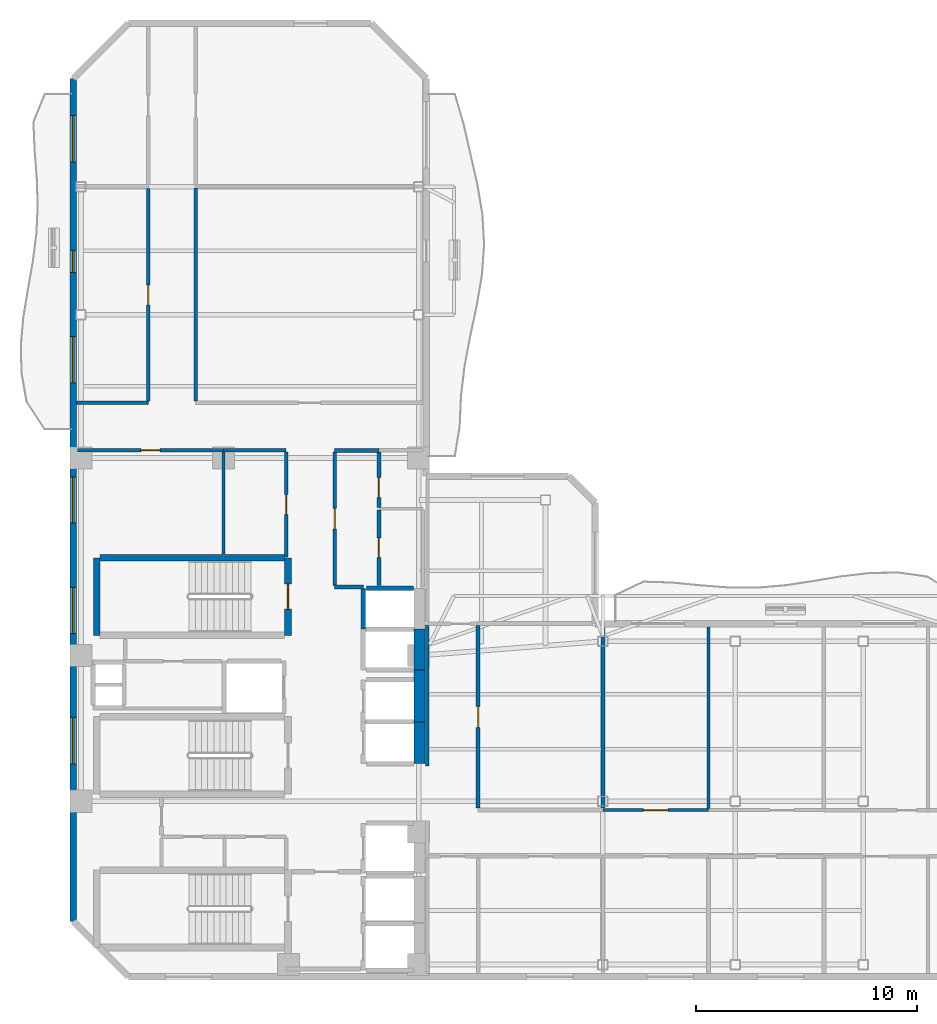
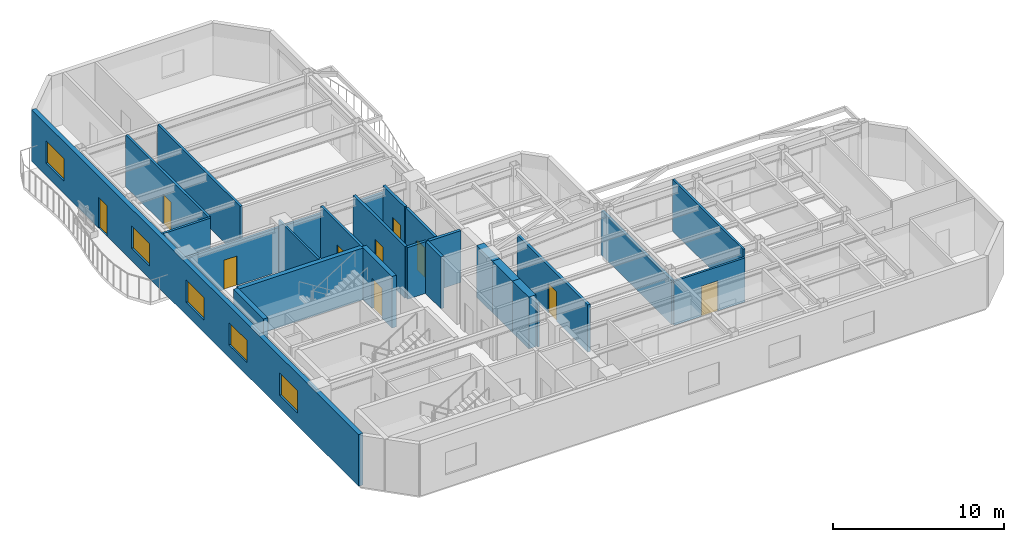
# One storey, part 4 of 9: 26 walls, 10 doors, 5 windows, 15 openings.
"""IFC4 building model written with IfcOpenShell, lengths in metres."""

from ifc_helpers import new_model, si_unit, direction, frame, frame_2d, origin, place, context, subcontext, project, spatial, rectangle, extrude, material, layer, layer_set, type_object, element, fill, save


model = new_model("IFC4")

# Units and contexts
model_context = context("Model", 3, precision=1e-05, world=origin(), true_north=direction((0.0, 1.0)))
body_context = subcontext(model_context, "Body", "Model", "MODEL_VIEW")
ifc_project = project(units=[si_unit("LENGTHUNIT", "METRE"), si_unit("AREAUNIT", "SQUARE_METRE"), si_unit("VOLUMEUNIT", "CUBIC_METRE"), si_unit("PLANEANGLEUNIT", "RADIAN"), si_unit("MASSUNIT", "GRAM", prefix="KILO")], contexts=[model_context])

# Site, building, storey
site_placement = place(None, origin())
site = spatial("IfcSite", under=ifc_project, at=site_placement, CompositionType="ELEMENT")
building_placement = place(site_placement, origin())
building = spatial("IfcBuilding", under=site, at=building_placement, Name="Mawjaban Terraces University", CompositionType="ELEMENT")
storey_placement = place(building_placement, frame((0.0, 0.0, 210.89990234375)))
storey = spatial("IfcBuildingStorey", under=building, at=storey_placement, Name="L51", CompositionType="ELEMENT", Elevation=210.89990234375)

# Walls
ifc_material_1 = material(Name="Acoustic masonry blockwork", Category="masonry")
ifc_layer_1 = layer(ifc_material_1, 0.179931640625)
ifc_layer_set_1 = layer_set([ifc_layer_1], Name="Acoustic masonry blockwork")
wall_type_1 = type_object("IfcWallType", Name="AcousticStudioWall_180", PredefinedType="PARTITIONING", material=ifc_layer_set_1)
wall_1_placement = place(storey_placement, frame((33.85009765625, 17.64990234375, 0.0), z_axis=(0.0, 0.0, 1.0), x_axis=(1.0, 0.0, 0.0)))
element("IfcWall", 1, at=wall_1_placement, inside=storey, type_object=wall_type_1, Name="L51 Graduate Research Collaboration Studio Partition 10", PredefinedType="PARTITIONING", context=body_context, shape_type="SweptSolid", body=[
    extrude(rectangle(XDim=1.2998046875, YDim=0.179931640625, at=frame_2d((0.64990234375, 0.0))), origin(), (0.0, 0.0, 1.0), 3.690185546875),
])
wall_2_placement = place(storey_placement, frame((35.85009765625, 23.85009765625, 0.0), z_axis=(0.0, 0.0, 1.0), x_axis=(-1.0, 0.0, 0.0)))
element("IfcWall", 2, at=wall_2_placement, inside=storey, type_object=wall_type_1, Name="L51 Graduate Research Collaboration Studio Partition 13", PredefinedType="PARTITIONING", context=body_context, shape_type="SweptSolid", body=[
    extrude(rectangle(XDim=2.0, YDim=0.179931640625, at=frame_2d((1.0, 0.0))), origin(), (0.0, 0.0, 1.0), 3.14599609375),
])

# Wall, opening, door
wall_3_placement = place(storey_placement, frame((33.85009765625, 17.735107421875, 0.0), z_axis=(0.0, 0.0, 1.0), x_axis=(0.0, 1.0, 0.0)))
wall_3 = element("IfcWall", 3, at=wall_3_placement, inside=storey, type_object=wall_type_1, Name="L51 Core North Lift Lobby Partition 41", PredefinedType="PARTITIONING", context=body_context, shape_type="SweptSolid", body=[
    extrude(rectangle(XDim=6.02978515625, YDim=0.179931640625, at=frame_2d((3.014892578125, 0.0))), origin(), (0.0, 0.0, 1.0), 3.690185546875),
])
opening_1_placement = place(wall_3_placement, frame((2.5400390625, 0.0, 0.0)))
opening_1 = element("IfcOpeningElement", 4, at=opening_1_placement, cuts=wall_3, Name="Opening ID-095", PredefinedType="OPENING", context=body_context, shape_type="SweptSolid", body=[
    extrude(rectangle(XDim=0.949951171875, YDim=2.10009765625, at=frame_2d((0.47509765625, 1.050048828125))), frame((0.0, 0.099853515625, 0.0), z_axis=(0.0, -1.0, 0.0), x_axis=(1.0, 0.0, 0.0)), (0.0, 0.0, 1.0), 0.199951171875),
])
ifc_material_2 = material(Name="Powder-coated steel frame and solid acoustic timber leaf", Category="steel")
door_type_1 = type_object("IfcDoorType", Name="StudioDoor_950x2100", OperationType="NOTDEFINED", PredefinedType="DOOR", material=ifc_material_2)
door_1_placement = place(opening_1_placement, origin())
door_1 = element("IfcDoor", 5, at=door_1_placement, inside=storey, type_object=door_type_1, Name="L51 Graduate Research Collaboration Studio Door", OperationType="SINGLE_SWING_RIGHT", OverallHeight=2.10009765625, OverallWidth=0.949951171875, PredefinedType="DOOR", context=body_context, shape_type="SweptSolid", body=[
    extrude(rectangle(XDim=0.949951171875, YDim=2.10009765625, at=frame_2d((0.47509765625, 1.050048828125))), frame((0.0, 0.02490234375, 0.0), z_axis=(0.0, -1.0, 0.0), x_axis=(1.0, 0.0, 0.0)), (0.0, 0.0, 1.0), 0.050048828125),
])
fill(opening_1, door_1)

wall_4_placement = place(storey_placement, frame((35.85009765625, 17.72998046875, 0.0), z_axis=(0.0, 0.0, 1.0), x_axis=(0.0, 1.0, 0.0)))
wall_4 = element("IfcWall", 6, at=wall_4_placement, inside=storey, type_object=wall_type_1, Name="L51 Graduate Research Collaboration Studio Partition 42", PredefinedType="PARTITIONING", context=body_context, shape_type="SweptSolid", body=[
    extrude(rectangle(XDim=3.412109375, YDim=0.179931640625, at=frame_2d((1.7060546875, 0.0))), origin(), (0.0, 0.0, 1.0), 3.690185546875),
])
opening_2_placement = place(wall_4_placement, frame((1.256103515625, 0.0, 0.0)))
opening_2 = element("IfcOpeningElement", 7, at=opening_2_placement, cuts=wall_4, Name="Opening ID-090", PredefinedType="OPENING", context=body_context, shape_type="SweptSolid", body=[
    extrude(rectangle(XDim=0.89990234375, YDim=2.10009765625, at=frame_2d((0.449951171875, 1.050048828125))), frame((0.0, 0.099853515625, 0.0), z_axis=(0.0, -1.0, 0.0), x_axis=(1.0, 0.0, 0.0)), (0.0, 0.0, 1.0), 0.199951171875),
])
door_type_2 = type_object("IfcDoorType", Name="OfficeDoor_900x2100", OperationType="NOTDEFINED", PredefinedType="DOOR", material=ifc_material_2)
door_2_placement = place(opening_2_placement, origin())
door_2 = element("IfcDoor", 8, at=door_2_placement, inside=storey, type_object=door_type_2, Name="L51 Research Instrument Store Door", OperationType="SINGLE_SWING_RIGHT", OverallHeight=2.10009765625, OverallWidth=0.89990234375, PredefinedType="DOOR", context=body_context, shape_type="SweptSolid", body=[
    extrude(rectangle(XDim=0.89990234375, YDim=2.10009765625, at=frame_2d((0.449951171875, 1.050048828125))), frame((0.0, 0.02490234375, 0.0), z_axis=(0.0, -1.0, 0.0), x_axis=(1.0, 0.0, 0.0)), (0.0, 0.0, 1.0), 0.050048828125),
])
fill(opening_2, door_2)

wall_5_placement = place(storey_placement, frame((35.85009765625, 21.258056640625, 0.0), z_axis=(0.0, 0.0, 1.0), x_axis=(0.0, 1.0, 0.0)))
wall_5 = element("IfcWall", 9, at=wall_5_placement, inside=storey, type_object=wall_type_1, Name="L51 Graduate Research Collaboration Studio Partition 43", PredefinedType="PARTITIONING", context=body_context, shape_type="SweptSolid", body=[
    extrude(rectangle(XDim=2.5068359375, YDim=0.179931640625, at=frame_2d((1.25341796875, 0.0))), origin(), (0.0, 0.0, 1.0), 3.690185546875),
])
opening_3_placement = place(wall_5_placement, frame((0.4541015625, 0.0, 0.0)))
opening_3 = element("IfcOpeningElement", 10, at=opening_3_placement, cuts=wall_5, Name="Opening ID-090", PredefinedType="OPENING", context=body_context, shape_type="SweptSolid", body=[
    extrude(rectangle(XDim=0.89990234375, YDim=2.10009765625, at=frame_2d((0.449951171875, 1.050048828125))), frame((0.0, 0.099853515625, 0.0), z_axis=(0.0, -1.0, 0.0), x_axis=(1.0, 0.0, 0.0)), (0.0, 0.0, 1.0), 0.199951171875),
])
door_3_placement = place(opening_3_placement, origin())
door_3 = element("IfcDoor", 11, at=door_3_placement, inside=storey, type_object=door_type_2, Name="L51 Graduate Quiet Study Alcove Door", OperationType="SINGLE_SWING_LEFT", OverallHeight=2.10009765625, OverallWidth=0.89990234375, PredefinedType="DOOR", context=body_context, shape_type="SweptSolid", body=[
    extrude(rectangle(XDim=0.89990234375, YDim=2.10009765625, at=frame_2d((0.449951171875, 1.050048828125))), frame((0.0, 0.02490234375, 0.0), z_axis=(0.0, -1.0, 0.0), x_axis=(1.0, 0.0, 0.0)), (0.0, 0.0, 1.0), 0.050048828125),
])
fill(opening_3, door_3)

wall_6_placement = place(storey_placement, frame((40.35009765625, 7.635009765625, 0.0), z_axis=(0.0, 0.0, 1.0), x_axis=(0.0, 1.0, 0.0)))
wall_6 = element("IfcWall", 12, at=wall_6_placement, inside=storey, type_object=wall_type_1, Name="L51 South Spine Spur Link Partition 50", PredefinedType="PARTITIONING", context=body_context, shape_type="SweptSolid", body=[
    extrude(rectangle(XDim=8.280029296875, YDim=0.179931640625, at=frame_2d((4.14013671875, 0.0))), origin(), (0.0, 0.0, 1.0), 3.3720703125),
])
opening_4_placement = place(wall_6_placement, frame((3.6650390625, 0.0, 0.0)))
opening_4 = element("IfcOpeningElement", 13, at=opening_4_placement, cuts=wall_6, Name="Opening ID-095", PredefinedType="OPENING", context=body_context, shape_type="SweptSolid", body=[
    extrude(rectangle(XDim=0.949951171875, YDim=2.10009765625, at=frame_2d((0.47509765625, 1.050048828125))), frame((0.0, 0.099853515625, 0.0), z_axis=(0.0, -1.0, 0.0), x_axis=(1.0, 0.0, 0.0)), (0.0, 0.0, 1.0), 0.199951171875),
])
door_4_placement = place(opening_4_placement, origin())
door_4 = element("IfcDoor", 14, at=door_4_placement, inside=storey, type_object=door_type_1, Name="L51 Design Studio 3 Door", OperationType="SINGLE_SWING_LEFT", OverallHeight=2.10009765625, OverallWidth=0.949951171875, PredefinedType="DOOR", context=body_context, shape_type="SweptSolid", body=[
    extrude(rectangle(XDim=0.949951171875, YDim=2.10009765625, at=frame_2d((0.47509765625, 1.050048828125))), frame((0.0, 0.02490234375, 0.0), z_axis=(0.0, -1.0, 0.0), x_axis=(1.0, 0.0, 0.0)), (0.0, 0.0, 1.0), 0.050048828125),
])
fill(opening_4, door_4)

# Walls
wall_7_placement = place(storey_placement, frame((46.0, 7.635009765625, 0.0), z_axis=(0.0, 0.0, 1.0), x_axis=(0.0, 1.0, 0.0)))
element("IfcWall", 15, at=wall_7_placement, inside=storey, type_object=wall_type_1, Name="L51 Design Studio 3 Partition 52", PredefinedType="PARTITIONING", context=body_context, shape_type="SweptSolid", body=[
    extrude(rectangle(XDim=8.219970703125, YDim=0.179931640625, at=frame_2d((4.10986328125, 0.0))), origin(), (0.0, 0.0, 1.0), 3.14599609375),
])
ifc_material_3 = material(Name="Concrete C60/75", Category="concrete")
ifc_layer_2 = layer(ifc_material_3, 0.5)
ifc_layer_set_2 = layer_set([ifc_layer_2], Name="Concrete C60/75")
wall_type_2 = type_object("IfcWallType", Name="CoreShearWall_500", PredefinedType="SHEAR", material=ifc_layer_set_2)
wall_8_placement = place(storey_placement, frame((37.699951171875, 9.64990234375, 0.0), z_axis=(0.0, 0.0, 1.0), x_axis=(0.0, 1.0, 0.0)))
element("IfcWall", 16, at=wall_8_placement, inside=storey, type_object=wall_type_2, Name="L51 Lift PL-H1 Hoistway Wall East", PredefinedType="SHEAR", context=body_context, shape_type="SweptSolid", body=[
    extrude(rectangle(XDim=1.900146484375, YDim=0.5, at=frame_2d((0.9501953125, 0.0))), origin(), (0.0, 0.0, 1.0), 3.690185546875),
])
wall_9_placement = place(storey_placement, frame((37.699951171875, 11.550048828125, 0.0), z_axis=(0.0, 0.0, 1.0), x_axis=(0.0, 1.0, 0.0)))
element("IfcWall", 17, at=wall_9_placement, inside=storey, type_object=wall_type_2, Name="L51 Lift PL-H2 Hoistway Wall East", PredefinedType="SHEAR", context=body_context, shape_type="SweptSolid", body=[
    extrude(rectangle(XDim=2.349853515625, YDim=0.5, at=frame_2d((1.1748046875, 0.0))), origin(), (0.0, 0.0, 1.0), 3.690185546875),
])
wall_10_placement = place(storey_placement, frame((37.699951171875, 13.89990234375, 0.0), z_axis=(0.0, 0.0, 1.0), x_axis=(0.0, 1.0, 0.0)))
element("IfcWall", 18, at=wall_10_placement, inside=storey, type_object=wall_type_2, Name="L51 Lift OL-1 Hoistway Wall East", PredefinedType="SHEAR", context=body_context, shape_type="SweptSolid", body=[
    extrude(rectangle(XDim=1.85009765625, YDim=0.5, at=frame_2d((0.925048828125, 0.0))), origin(), (0.0, 0.0, 1.0), 3.690185546875),
])
ifc_material_4 = material(Name="Fire-rated gypsum board on steel stud", Category="steel")
ifc_layer_3 = layer(ifc_material_4, 0.159912109375)
ifc_layer_set_3 = layer_set([ifc_layer_3], Name="Fire-rated gypsum board on steel stud")
wall_type_3 = type_object("IfcWallType", Name="CorridorPartition_160", PredefinedType="PARTITIONING", material=ifc_layer_set_3)
wall_11_placement = place(storey_placement, frame((25.39990234375, 26.0, 0.0), z_axis=(0.0, 0.0, 1.0), x_axis=(-1.0, 0.0, 0.0)))
element("IfcWall", 19, at=wall_11_placement, inside=storey, type_object=wall_type_3, Name="L51 North Core Cross-Corridor Partition 3", PredefinedType="PARTITIONING", context=body_context, shape_type="SweptSolid", body=[
    extrude(rectangle(XDim=3.2548828125, YDim=0.159912109375, at=frame_2d((1.62744140625, 0.0))), origin(), (0.0, 0.0, 1.0), 3.690185546875),
])

# Wall, opening, door
wall_12_placement = place(storey_placement, frame((28.800048828125, 23.85009765625, 0.0), z_axis=(0.0, 0.0, 1.0), x_axis=(-1.0, 0.0, 0.0)))
wall_12 = element("IfcWall", 20, at=wall_12_placement, inside=storey, type_object=wall_type_3, Name="L51 Female Toilet Partition 6", PredefinedType="PARTITIONING", context=body_context, shape_type="SweptSolid", body=[
    extrude(rectangle(XDim=6.60009765625, YDim=0.159912109375, at=frame_2d((3.300048828125, 0.0))), origin(), (0.0, 0.0, 1.0), 3.14599609375),
])
opening_5_placement = place(wall_12_placement, frame((2.860107421875, 0.0, 0.0)))
opening_5 = element("IfcOpeningElement", 21, at=opening_5_placement, cuts=wall_12, Name="Opening ID-088", PredefinedType="OPENING", context=body_context, shape_type="SweptSolid", body=[
    extrude(rectangle(XDim=0.8798828125, YDim=2.10009765625, at=frame_2d((0.43994140625, 1.050048828125))), frame((0.0, 0.08984375, 0.0), z_axis=(0.0, -1.0, 0.0), x_axis=(1.0, 0.0, 0.0)), (0.0, 0.0, 1.0), 0.179931640625),
])
door_type_3 = type_object("IfcDoorType", Name="ToiletDoor_880x2100", OperationType="NOTDEFINED", PredefinedType="DOOR", material=ifc_material_2)
door_5_placement = place(opening_5_placement, origin())
door_5 = element("IfcDoor", 22, at=door_5_placement, inside=storey, type_object=door_type_3, Name="L51 Female Toilet Door", OperationType="SINGLE_SWING_RIGHT", OverallHeight=2.10009765625, OverallWidth=0.8798828125, PredefinedType="DOOR", context=body_context, shape_type="SweptSolid", body=[
    extrude(rectangle(XDim=0.8798828125, YDim=2.10009765625, at=frame_2d((0.43994140625, 1.050048828125))), frame((0.0, 0.02490234375, 0.0), z_axis=(0.0, -1.0, 0.0), x_axis=(1.0, 0.0, 0.0)), (0.0, 0.0, 1.0), 0.050048828125),
])
fill(opening_5, door_5)

# Wall
wall_13_placement = place(storey_placement, frame((31.64990234375, 23.85009765625, 0.0), z_axis=(0.0, 0.0, 1.0), x_axis=(-1.0, 0.0, 0.0)))
element("IfcWall", 23, at=wall_13_placement, inside=storey, type_object=wall_type_3, Name="L51 Faculty Academic Resource Office Partition 9", PredefinedType="PARTITIONING", context=body_context, shape_type="SweptSolid", body=[
    extrude(rectangle(XDim=2.849853515625, YDim=0.159912109375, at=frame_2d((1.4248046875, 0.0))), origin(), (0.0, 0.0, 1.0), 3.14599609375),
])

# Wall, opening, door
wall_14_placement = place(storey_placement, frame((25.39990234375, 35.715087890625, 0.0), z_axis=(0.0, 0.0, 1.0), x_axis=(0.0, -1.0, 0.0)))
wall_14 = element("IfcWall", 24, at=wall_14_placement, inside=storey, type_object=wall_type_3, Name="L51 West Shifted Academic Corridor Partition 31", PredefinedType="PARTITIONING", context=body_context, shape_type="SweptSolid", body=[
    extrude(rectangle(XDim=9.64013671875, YDim=0.159912109375, at=frame_2d((4.820068359375, 0.0))), origin(), (0.0, 0.0, 1.0), 3.690185546875),
])
opening_6_placement = place(wall_14_placement, frame((4.3701171875, 0.0, 0.0)))
opening_6 = element("IfcOpeningElement", 25, at=opening_6_placement, cuts=wall_14, Name="Opening ID-090", PredefinedType="OPENING", context=body_context, shape_type="SweptSolid", body=[
    extrude(rectangle(XDim=0.89990234375, YDim=2.10009765625, at=frame_2d((0.449951171875, 1.050048828125))), frame((0.0, 0.08984375, 0.0), z_axis=(0.0, -1.0, 0.0), x_axis=(1.0, 0.0, 0.0)), (0.0, 0.0, 1.0), 0.179931640625),
])
door_6_placement = place(opening_6_placement, origin())
door_6 = element("IfcDoor", 26, at=door_6_placement, inside=storey, type_object=door_type_2, Name="L51 Departmental Office 12 Door", OperationType="SINGLE_SWING_RIGHT", OverallHeight=2.10009765625, OverallWidth=0.89990234375, PredefinedType="DOOR", context=body_context, shape_type="SweptSolid", body=[
    extrude(rectangle(XDim=0.89990234375, YDim=2.10009765625, at=frame_2d((0.449951171875, 1.050048828125))), frame((0.0, 0.02490234375, 0.0), z_axis=(0.0, -1.0, 0.0), x_axis=(1.0, 0.0, 0.0)), (0.0, 0.0, 1.0), 0.050048828125),
])
fill(opening_6, door_6)

# Wall
wall_15_placement = place(storey_placement, frame((27.550048828125, 26.074951171875, 0.0), z_axis=(0.0, 0.0, 1.0), x_axis=(0.0, 1.0, 0.0)))
element("IfcWall", 27, at=wall_15_placement, inside=storey, type_object=wall_type_3, Name="L51 West Shifted Academic Corridor Partition 35", PredefinedType="PARTITIONING", context=body_context, shape_type="SweptSolid", body=[
    extrude(rectangle(XDim=9.656982421875, YDim=0.159912109375, at=frame_2d((4.82861328125, 0.0))), origin(), (0.0, 0.0, 1.0), 3.690185546875),
])

# Wall, opening, door
wall_16_placement = place(storey_placement, frame((31.64990234375, 19.010009765625, 0.0), z_axis=(0.0, 0.0, 1.0), x_axis=(0.0, 1.0, 0.0)))
wall_16 = element("IfcWall", 28, at=wall_16_placement, inside=storey, type_object=wall_type_3, Name="L51 Faculty Academic Resource Office Partition 40", PredefinedType="PARTITIONING", context=body_context, shape_type="SweptSolid", body=[
    extrude(rectangle(XDim=4.764892578125, YDim=0.159912109375, at=frame_2d((2.38232421875, 0.0))), origin(), (0.0, 0.0, 1.0), 3.690185546875),
])
opening_7_placement = place(wall_16_placement, frame((1.931884765625, 0.0, 0.0)))
opening_7 = element("IfcOpeningElement", 29, at=opening_7_placement, cuts=wall_16, Name="Opening ID-090", PredefinedType="OPENING", context=body_context, shape_type="SweptSolid", body=[
    extrude(rectangle(XDim=0.89990234375, YDim=2.10009765625, at=frame_2d((0.449951171875, 1.050048828125))), frame((0.0, 0.08984375, 0.0), z_axis=(0.0, -1.0, 0.0), x_axis=(1.0, 0.0, 0.0)), (0.0, 0.0, 1.0), 0.179931640625),
])
door_7_placement = place(opening_7_placement, origin())
door_7 = element("IfcDoor", 30, at=door_7_placement, inside=storey, type_object=door_type_2, Name="L51 Faculty Academic Resource Office Door", OperationType="SINGLE_SWING_LEFT", OverallHeight=2.10009765625, OverallWidth=0.89990234375, PredefinedType="DOOR", context=body_context, shape_type="SweptSolid", body=[
    extrude(rectangle(XDim=0.89990234375, YDim=2.10009765625, at=frame_2d((0.449951171875, 1.050048828125))), frame((0.0, 0.02490234375, 0.0), z_axis=(0.0, -1.0, 0.0), x_axis=(1.0, 0.0, 0.0)), (0.0, 0.0, 1.0), 0.050048828125),
])
fill(opening_7, door_7)

# Wall
wall_17_placement = place(storey_placement, frame((38.050048828125, 15.925048828125, 0.0), z_axis=(0.0, 0.0, 1.0), x_axis=(0.0, -1.0, 0.0)))
element("IfcWall", 31, at=wall_17_placement, inside=storey, type_object=wall_type_3, Name="L51 South Spine Spur Link Partition 47", PredefinedType="PARTITIONING", context=body_context, shape_type="SweptSolid", body=[
    extrude(rectangle(XDim=6.375, YDim=0.159912109375, at=frame_2d((3.1875, 0.0))), origin(), (0.0, 0.0, 1.0), 3.14599609375),
])

# Wall, openings, door, windows
ifc_material_5 = material(Name="Insulated terracotta rainscreen on concrete backup C40/50", Category="masonry")
ifc_layer_4 = layer(ifc_material_5, 0.300048828125)
ifc_layer_set_4 = layer_set([ifc_layer_4], Name="Insulated terracotta rainscreen on concrete backup C40/50")
wall_type_4 = type_object("IfcWallType", Name="ExtTerracottaWall_300", PredefinedType="SOLIDWALL", material=ifc_layer_set_4)
wall_18_placement = place(storey_placement, frame((22.0, 40.699951171875, 0.0), z_axis=(0.0, 0.0, 1.0), x_axis=(0.0, -1.0, 0.0)))
wall_18 = element("IfcWall", 32, at=wall_18_placement, inside=storey, type_object=wall_type_4, Name="L51 Exterior Terracotta Wall 13", PredefinedType="SOLIDWALL", context=body_context, shape_type="SweptSolid", body=[
    extrude(rectangle(XDim=38.199951171875, YDim=0.300048828125, at=frame_2d((19.10009765625, 0.0))), origin(), (0.0, 0.0, 1.0), 3.690185546875),
])
opening_8_placement = place(wall_18_placement, frame((7.800048828125, 0.0, 0.0)))
opening_8 = element("IfcOpeningElement", 33, at=opening_8_placement, cuts=wall_18, Name="Opening BD-100", PredefinedType="OPENING", context=body_context, shape_type="SweptSolid", body=[
    extrude(rectangle(XDim=1.0, YDim=2.199951171875, at=frame_2d((0.5, 1.10009765625))), frame((0.0, 0.159912109375, 0.0), z_axis=(0.0, -1.0, 0.0), x_axis=(1.0, 0.0, 0.0)), (0.0, 0.0, 1.0), 0.320068359375),
])
opening_9_placement = place(wall_18_placement, frame((1.678955078125, 0.0, 0.89990234375)))
opening_9 = element("IfcOpeningElement", 34, at=opening_9_placement, cuts=wall_18, Name="Opening W-04", PredefinedType="OPENING", context=body_context, shape_type="SweptSolid", body=[
    extrude(rectangle(XDim=2.10009765625, YDim=1.60009765625, at=frame_2d((1.050048828125, 0.800048828125))), frame((0.0, 0.159912109375, 0.0), z_axis=(0.0, -1.0, 0.0), x_axis=(1.0, 0.0, 0.0)), (0.0, 0.0, 1.0), 0.320068359375),
])
opening_10_placement = place(wall_18_placement, frame((11.693115234375, 0.0, 0.89990234375)))
opening_10 = element("IfcOpeningElement", 35, at=opening_10_placement, cuts=wall_18, Name="Opening W-04", PredefinedType="OPENING", context=body_context, shape_type="SweptSolid", body=[
    extrude(rectangle(XDim=2.10009765625, YDim=1.60009765625, at=frame_2d((1.050048828125, 0.800048828125))), frame((0.0, 0.159912109375, 0.0), z_axis=(0.0, -1.0, 0.0), x_axis=(1.0, 0.0, 0.0)), (0.0, 0.0, 1.0), 0.320068359375),
])
opening_11_placement = place(wall_18_placement, frame((18.050048828125, 0.0, 0.89990234375)))
opening_11 = element("IfcOpeningElement", 36, at=opening_11_placement, cuts=wall_18, Name="Opening W-04", PredefinedType="OPENING", context=body_context, shape_type="SweptSolid", body=[
    extrude(rectangle(XDim=2.10009765625, YDim=1.60009765625, at=frame_2d((1.050048828125, 0.800048828125))), frame((0.0, 0.159912109375, 0.0), z_axis=(0.0, -1.0, 0.0), x_axis=(1.0, 0.0, 0.0)), (0.0, 0.0, 1.0), 0.320068359375),
])
opening_12_placement = place(wall_18_placement, frame((23.056884765625, 0.0, 0.89990234375)))
opening_12 = element("IfcOpeningElement", 37, at=opening_12_placement, cuts=wall_18, Name="Opening W-04", PredefinedType="OPENING", context=body_context, shape_type="SweptSolid", body=[
    extrude(rectangle(XDim=2.10009765625, YDim=1.60009765625, at=frame_2d((1.050048828125, 0.800048828125))), frame((0.0, 0.159912109375, 0.0), z_axis=(0.0, -1.0, 0.0), x_axis=(1.0, 0.0, 0.0)), (0.0, 0.0, 1.0), 0.320068359375),
])
opening_13_placement = place(wall_18_placement, frame((28.964111328125, 0.0, 0.89990234375)))
opening_13 = element("IfcOpeningElement", 38, at=opening_13_placement, cuts=wall_18, Name="Opening W-04", PredefinedType="OPENING", context=body_context, shape_type="SweptSolid", body=[
    extrude(rectangle(XDim=2.10009765625, YDim=1.60009765625, at=frame_2d((1.050048828125, 0.800048828125))), frame((0.0, 0.159912109375, 0.0), z_axis=(0.0, -1.0, 0.0), x_axis=(1.0, 0.0, 0.0)), (0.0, 0.0, 1.0), 0.320068359375),
])
ifc_material_6 = material(Name="Thermally broken anodised aluminium and laminated safety glass", Category="aluminium")
door_type_4 = type_object("IfcDoorType", Name="BalconyGlazedDoor_1000x2200", OperationType="NOTDEFINED", PredefinedType="DOOR", material=ifc_material_6)
door_8_placement = place(opening_8_placement, origin())
door_8 = element("IfcDoor", 39, at=door_8_placement, inside=storey, type_object=door_type_4, Name="L51 Balcony Access Door west", OperationType="SINGLE_SWING_RIGHT", OverallHeight=2.199951171875, OverallWidth=1.0, PredefinedType="DOOR", context=body_context, shape_type="SweptSolid", body=[
    extrude(rectangle(XDim=1.0, YDim=2.199951171875, at=frame_2d((0.5, 1.10009765625))), frame((0.0, 0.02490234375, 0.0), z_axis=(0.0, -1.0, 0.0), x_axis=(1.0, 0.0, 0.0)), (0.0, 0.0, 1.0), 0.050048828125),
])
fill(opening_8, door_8)
ifc_material_7 = material(Name="Low-E solar-control double glazing in thermally broken aluminium frame", Category="aluminium")
window_type = type_object("IfcWindowType", Name="Win_2100x1600", PartitioningType="SINGLE_PANEL", PredefinedType="WINDOW", material=ifc_material_7)
window_1_placement = place(opening_9_placement, origin())
window_1 = element("IfcWindow", 40, at=window_1_placement, inside=storey, type_object=window_type, Name="L51 Facade Window 13.1", OverallHeight=1.60009765625, OverallWidth=2.10009765625, PartitioningType="SINGLE_PANEL", PredefinedType="WINDOW", context=body_context, shape_type="SweptSolid", body=[
    extrude(rectangle(XDim=2.10009765625, YDim=1.60009765625, at=frame_2d((1.050048828125, 0.800048828125))), frame((0.0, 0.030029296875, 0.0), z_axis=(0.0, -1.0, 0.0), x_axis=(1.0, 0.0, 0.0)), (0.0, 0.0, 1.0), 0.06005859375),
])
fill(opening_9, window_1)
window_2_placement = place(opening_10_placement, origin())
window_2 = element("IfcWindow", 41, at=window_2_placement, inside=storey, type_object=window_type, Name="L51 Facade Window 13.3", OverallHeight=1.60009765625, OverallWidth=2.10009765625, PartitioningType="SINGLE_PANEL", PredefinedType="WINDOW", context=body_context, shape_type="SweptSolid", body=[
    extrude(rectangle(XDim=2.10009765625, YDim=1.60009765625, at=frame_2d((1.050048828125, 0.800048828125))), frame((0.0, 0.030029296875, 0.0), z_axis=(0.0, -1.0, 0.0), x_axis=(1.0, 0.0, 0.0)), (0.0, 0.0, 1.0), 0.06005859375),
])
fill(opening_10, window_2)
window_3_placement = place(opening_11_placement, origin())
window_3 = element("IfcWindow", 42, at=window_3_placement, inside=storey, type_object=window_type, Name="L51 Facade Window 13.4", OverallHeight=1.60009765625, OverallWidth=2.10009765625, PartitioningType="SINGLE_PANEL", PredefinedType="WINDOW", context=body_context, shape_type="SweptSolid", body=[
    extrude(rectangle(XDim=2.10009765625, YDim=1.60009765625, at=frame_2d((1.050048828125, 0.800048828125))), frame((0.0, 0.030029296875, 0.0), z_axis=(0.0, -1.0, 0.0), x_axis=(1.0, 0.0, 0.0)), (0.0, 0.0, 1.0), 0.06005859375),
])
fill(opening_11, window_3)
window_4_placement = place(opening_12_placement, origin())
window_4 = element("IfcWindow", 43, at=window_4_placement, inside=storey, type_object=window_type, Name="L51 Facade Window 13.5", OverallHeight=1.60009765625, OverallWidth=2.10009765625, PartitioningType="SINGLE_PANEL", PredefinedType="WINDOW", context=body_context, shape_type="SweptSolid", body=[
    extrude(rectangle(XDim=2.10009765625, YDim=1.60009765625, at=frame_2d((1.050048828125, 0.800048828125))), frame((0.0, 0.030029296875, 0.0), z_axis=(0.0, -1.0, 0.0), x_axis=(1.0, 0.0, 0.0)), (0.0, 0.0, 1.0), 0.06005859375),
])
fill(opening_12, window_4)
window_5_placement = place(opening_13_placement, origin())
window_5 = element("IfcWindow", 44, at=window_5_placement, inside=storey, type_object=window_type, Name="L51 Facade Window 13.6", OverallHeight=1.60009765625, OverallWidth=2.10009765625, PartitioningType="SINGLE_PANEL", PredefinedType="WINDOW", context=body_context, shape_type="SweptSolid", body=[
    extrude(rectangle(XDim=2.10009765625, YDim=1.60009765625, at=frame_2d((1.050048828125, 0.800048828125))), frame((0.0, 0.030029296875, 0.0), z_axis=(0.0, -1.0, 0.0), x_axis=(1.0, 0.0, 0.0)), (0.0, 0.0, 1.0), 0.06005859375),
])
fill(opening_13, window_5)

# Walls
ifc_material_8 = material(Name="Concrete C40/50", Category="concrete")
ifc_layer_5 = layer(ifc_material_8, 0.199951171875)
ifc_layer_set_5 = layer_set([ifc_layer_5], Name="Concrete C40/50")
wall_type_5 = type_object("IfcWallType", Name="FireLobbyWall_200", PredefinedType="SOLIDWALL", material=ifc_layer_set_5)
wall_19_placement = place(storey_placement, frame((35.14990234375, 17.60009765625, 0.0), z_axis=(0.0, 0.0, 1.0), x_axis=(0.0, -1.0, 0.0)))
element("IfcWall", 45, at=wall_19_placement, inside=storey, type_object=wall_type_5, Name="L51 Lift OL-2 Hoistway Wall West", PredefinedType="SOLIDWALL", context=body_context, shape_type="SweptSolid", body=[
    extrude(rectangle(XDim=1.85009765625, YDim=0.199951171875, at=frame_2d((0.925048828125, 0.0))), origin(), (0.0, 0.0, 1.0), 3.690185546875),
])
wall_20_placement = place(storey_placement, frame((37.419921875, 17.60009765625, 0.0), z_axis=(0.0, 0.0, 1.0), x_axis=(-1.0, 0.0, 0.0)))
element("IfcWall", 46, at=wall_20_placement, inside=storey, type_object=wall_type_5, Name="L51 Lift OL-2 Hoistway Wall North", PredefinedType="SOLIDWALL", context=body_context, shape_type="SweptSolid", body=[
    extrude(rectangle(XDim=2.139892578125, YDim=0.199951171875, at=frame_2d((1.06982421875, 0.0))), origin(), (0.0, 0.0, 1.0), 3.690185546875),
])

# Wall, opening, door
ifc_material_9 = material(Name="Moisture-resistant gypsum board on steel stud", Category="steel")
ifc_layer_6 = layer(ifc_material_9, 0.14501953125)
ifc_layer_set_6 = layer_set([ifc_layer_6], Name="Moisture-resistant gypsum board on steel stud")
wall_type_6 = type_object("IfcWallType", Name="LabPartition_145", PredefinedType="PARTITIONING", material=ifc_layer_set_6)
wall_21_placement = place(storey_placement, frame((50.7900390625, 7.550048828125, 0.0), z_axis=(0.0, 0.0, 1.0), x_axis=(-1.0, 0.0, 0.0)))
wall_21 = element("IfcWall", 47, at=wall_21_placement, inside=storey, type_object=wall_type_6, Name="L51 South Shifted Academic Corridor Partition 24", PredefinedType="PARTITIONING", context=body_context, shape_type="SweptSolid", body=[
    extrude(rectangle(XDim=4.7900390625, YDim=0.14501953125, at=frame_2d((2.39501953125, 0.0))), origin(), (0.0, 0.0, 1.0), 3.14599609375),
])
opening_14_placement = place(wall_21_placement, frame((1.844970703125, 0.0, 0.0)))
opening_14 = element("IfcOpeningElement", 48, at=opening_14_placement, cuts=wall_21, Name="Opening ID-110", PredefinedType="OPENING", context=body_context, shape_type="SweptSolid", body=[
    extrude(rectangle(XDim=1.10009765625, YDim=2.14990234375, at=frame_2d((0.550048828125, 1.074951171875))), frame((0.0, 0.08251953125, 0.0), z_axis=(0.0, -1.0, 0.0), x_axis=(1.0, 0.0, 0.0)), (0.0, 0.0, 1.0), 0.1650390625),
])
door_type_5 = type_object("IfcDoorType", Name="LabDoor_1100x2150", OperationType="NOTDEFINED", PredefinedType="DOOR", material=ifc_material_2)
door_9_placement = place(opening_14_placement, origin())
door_9 = element("IfcDoor", 49, at=door_9_placement, inside=storey, type_object=door_type_5, Name="L51 Teaching Laboratory 5 Door", OperationType="SINGLE_SWING_LEFT", OverallHeight=2.14990234375, OverallWidth=1.10009765625, PredefinedType="DOOR", context=body_context, shape_type="SweptSolid", body=[
    extrude(rectangle(XDim=1.10009765625, YDim=2.14990234375, at=frame_2d((0.550048828125, 1.074951171875))), frame((0.0, 0.02490234375, 0.0), z_axis=(0.0, -1.0, 0.0), x_axis=(1.0, 0.0, 0.0)), (0.0, 0.0, 1.0), 0.050048828125),
])
fill(opening_14, door_9)

# Walls
wall_22_placement = place(storey_placement, frame((50.7900390625, 7.616943359375, 0.0), z_axis=(0.0, 0.0, 1.0), x_axis=(0.0, 1.0, 0.0)))
element("IfcWall", 50, at=wall_22_placement, inside=storey, type_object=wall_type_6, Name="L51 Teaching Laboratory 5 Partition 54", PredefinedType="PARTITIONING", context=body_context, shape_type="SweptSolid", body=[
    extrude(rectangle(XDim=8.238037109375, YDim=0.14501953125, at=frame_2d((4.119140625, 0.0))), origin(), (0.0, 0.0, 1.0), 3.690185546875),
])
ifc_layer_7 = layer(ifc_material_3, 0.300048828125)
ifc_layer_set_7 = layer_set([ifc_layer_7], Name="Concrete C60/75")
wall_type_7 = type_object("IfcWallType", Name="StairShaftWall_300", PredefinedType="SHEAR", material=ifc_layer_set_7)
wall_23_placement = place(storey_placement, frame((31.580078125, 18.97998046875, 0.0), z_axis=(0.0, 0.0, 1.0), x_axis=(-1.0, 0.0, 0.0)))
element("IfcWall", 51, at=wall_23_placement, inside=storey, type_object=wall_type_7, Name="L51 ST-2 Stair Shaft Wall 1", PredefinedType="SHEAR", context=body_context, shape_type="SweptSolid", body=[
    extrude(rectangle(XDim=8.360107421875, YDim=0.300048828125, at=frame_2d((4.18017578125, 0.0))), origin(), (0.0, 0.0, 1.0), 3.690185546875),
])
wall_24_placement = place(storey_placement, frame((23.070068359375, 18.97998046875, 0.0), z_axis=(0.0, 0.0, 1.0), x_axis=(0.0, -1.0, 0.0)))
element("IfcWall", 52, at=wall_24_placement, inside=storey, type_object=wall_type_7, Name="L51 ST-2 Stair Shaft Wall 2", PredefinedType="SHEAR", context=body_context, shape_type="SweptSolid", body=[
    extrude(rectangle(XDim=3.510009765625, YDim=0.300048828125, at=frame_2d((1.7548828125, 0.0))), origin(), (0.0, 0.0, 1.0), 3.690185546875),
])

# Wall, opening, door
wall_25_placement = place(storey_placement, frame((31.72998046875, 15.469970703125, 0.0), z_axis=(0.0, 0.0, 1.0), x_axis=(0.0, 1.0, 0.0)))
wall_25 = element("IfcWall", 53, at=wall_25_placement, inside=storey, type_object=wall_type_7, Name="L51 ST-2 Stair Shaft Wall 4", PredefinedType="SHEAR", context=body_context, shape_type="SweptSolid", body=[
    extrude(rectangle(XDim=3.510009765625, YDim=0.300048828125, at=frame_2d((1.7548828125, 0.0))), origin(), (0.0, 0.0, 1.0), 3.690185546875),
])
opening_15_placement = place(wall_25_placement, frame((1.179931640625, 0.0, 0.0)))
opening_15 = element("IfcOpeningElement", 54, at=opening_15_placement, cuts=wall_25, Name="Opening FD-115", PredefinedType="OPENING", context=body_context, shape_type="SweptSolid", body=[
    extrude(rectangle(XDim=1.14990234375, YDim=2.14990234375, at=frame_2d((0.574951171875, 1.074951171875))), frame((0.0, 0.159912109375, 0.0), z_axis=(0.0, -1.0, 0.0), x_axis=(1.0, 0.0, 0.0)), (0.0, 0.0, 1.0), 0.320068359375),
])
ifc_material_10 = material(Name="Powder-coated steel frame and fire-rated steel-faced leaf", Category="steel")
door_type_6 = type_object("IfcDoorType", Name="FireStairDoor_1150x2150", OperationType="NOTDEFINED", PredefinedType="DOOR", material=ifc_material_10)
door_10_placement = place(opening_15_placement, origin())
door_10 = element("IfcDoor", 55, at=door_10_placement, inside=storey, type_object=door_type_6, Name="L51 ST-2 Pressurised Stair Fire Door", OperationType="SINGLE_SWING_LEFT", OverallHeight=2.14990234375, OverallWidth=1.14990234375, PredefinedType="DOOR", context=body_context, shape_type="SweptSolid", body=[
    extrude(rectangle(XDim=1.14990234375, YDim=2.14990234375, at=frame_2d((0.574951171875, 1.074951171875))), frame((0.0, 0.02490234375, 0.0), z_axis=(0.0, -1.0, 0.0), x_axis=(1.0, 0.0, 0.0)), (0.0, 0.0, 1.0), 0.050048828125),
])
fill(opening_15, door_10)

# Wall
ifc_material_11 = material(Name="Cement-board wet-room partition", Category="masonry")
ifc_layer_8 = layer(ifc_material_11, 0.135009765625)
ifc_layer_set_8 = layer_set([ifc_layer_8], Name="Cement-board wet-room partition")
wall_type_8 = type_object("IfcWallType", Name="WetRoomPartition_135", PredefinedType="PARTITIONING", material=ifc_layer_set_8)
wall_26_placement = place(storey_placement, frame((28.800048828125, 23.77490234375, 0.0), z_axis=(0.0, 0.0, 1.0), x_axis=(0.0, -1.0, 0.0)))
element("IfcWall", 56, at=wall_26_placement, inside=storey, type_object=wall_type_8, Name="L51 Faculty Academic Resource Office Partition 37", PredefinedType="PARTITIONING", context=body_context, shape_type="SweptSolid", body=[
    extrude(rectangle(XDim=4.614990234375, YDim=0.135009765625, at=frame_2d((2.3076171875, 0.0))), origin(), (0.0, 0.0, 1.0), 3.690185546875),
])

save(model, "model.ifc")
